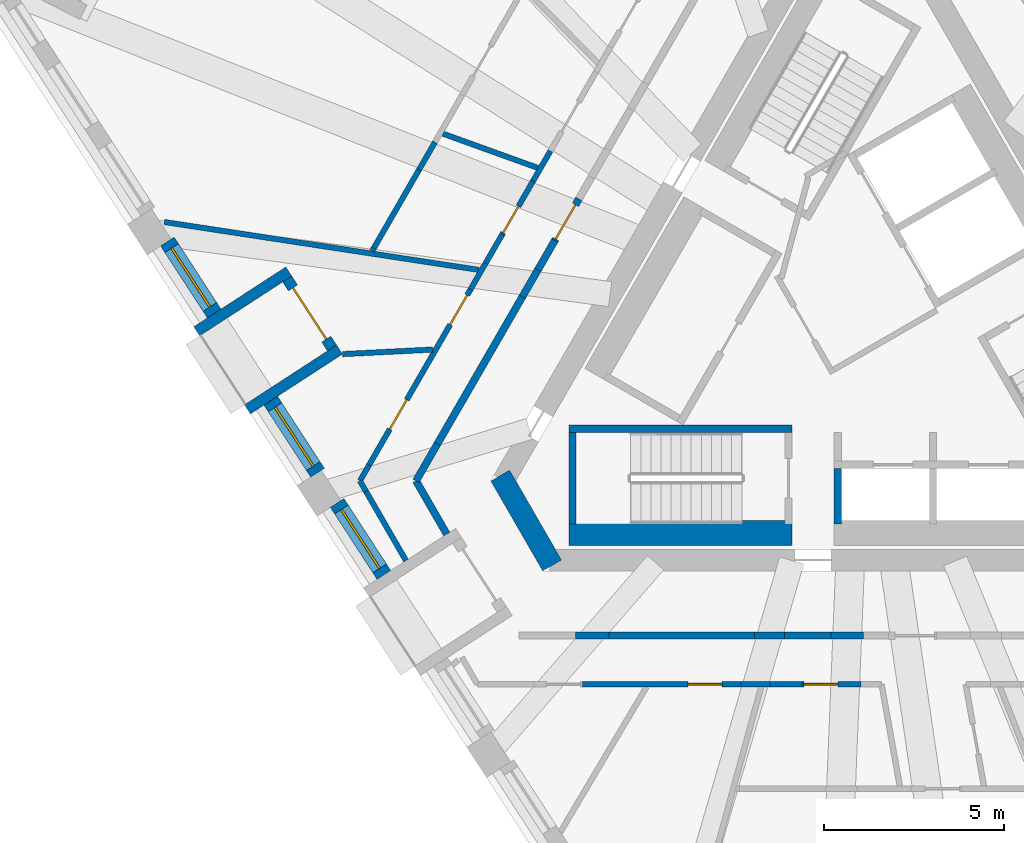
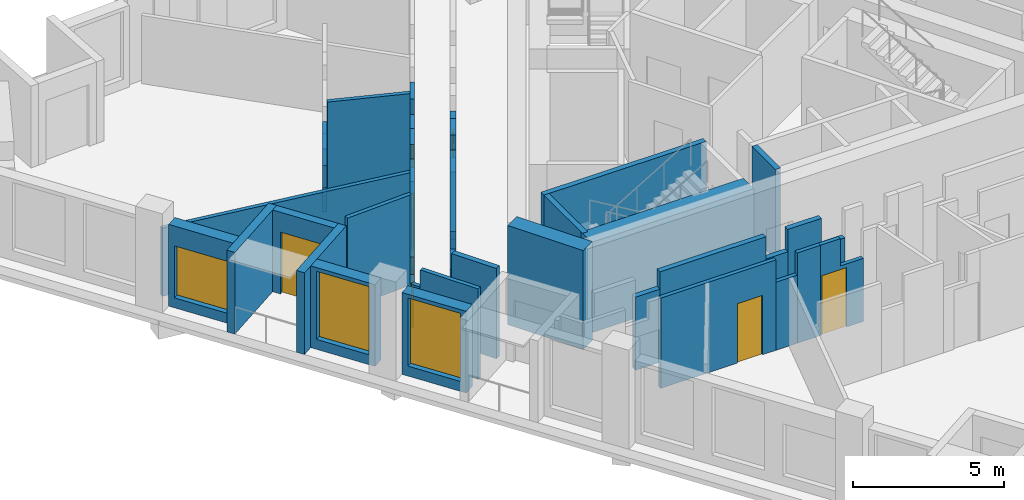
# One storey, part 3 of 12: 40 walls, 7 doors, 3 windows, 10 openings.
"""IFC4 building model written with IfcOpenShell, lengths in metres."""

from ifc_helpers import new_model, si_unit, direction, frame, frame_2d, origin, place, context, subcontext, project, spatial, polyline, rectangle, outline, extrude, material, layer, layer_set, type_object, element, fill, save


model = new_model("IFC4")

# Units and contexts
model_context = context("Model", 3, precision=1e-05, world=origin(), true_north=direction((0.0, 1.0)))
body_context = subcontext(model_context, "Body", "Model", "MODEL_VIEW")
ifc_project = project(units=[si_unit("LENGTHUNIT", "METRE"), si_unit("AREAUNIT", "SQUARE_METRE"), si_unit("VOLUMEUNIT", "CUBIC_METRE"), si_unit("PLANEANGLEUNIT", "RADIAN"), si_unit("MASSUNIT", "GRAM", prefix="KILO")], contexts=[model_context])

# Site, building, storey
site_placement = place(None, origin())
site = spatial("IfcSite", under=ifc_project, at=site_placement, CompositionType="ELEMENT")
building_placement = place(site_placement, origin())
building = spatial("IfcBuilding", under=site, at=building_placement, Name="Tramontana Tower", CompositionType="ELEMENT")
storey_placement = place(building_placement, frame((0.0, 0.0, 282.39990234375)))
storey = spatial("IfcBuildingStorey", under=building, at=storey_placement, Name="L66", CompositionType="ELEMENT", Elevation=282.39990234375)

# Walls
ifc_material_1 = material(Name="Concrete 70 MPa", Category="concrete")
ifc_layer_1 = layer(ifc_material_1, 0.60009765625)
ifc_layer_set_1 = layer_set([ifc_layer_1], Name="Core wall 600 70 MPa")
wall_type_1 = type_object("IfcWallType", Name="Core wall 600 70 MPa", PredefinedType="SHEAR", material=ifc_layer_set_1)
wall_1_placement = place(storey_placement, frame((-9.98828125, -4.10009765625, 0.0), z_axis=(0.0, 0.0, 1.0), x_axis=(0.499995765644, -0.866027848477, 0.0)))
element("IfcWall", 1, at=wall_1_placement, inside=storey, type_object=wall_type_1, Name="Core wall C2 L66", PredefinedType="SHEAR", context=body_context, shape_type="SweptSolid", body=[
    extrude(rectangle(XDim=2.88671875, YDim=0.60009765625, at=frame_2d((1.443359375, 0.0))), origin(), (0.0, 0.0, 1.0), 4.0),
])
ifc_material_2 = material(Name="Blockwork", Category="masonry")
ifc_layer_2 = layer(ifc_material_2, 0.199951171875)
ifc_layer_set_2 = layer_set([ifc_layer_2], Name="ENTRY WALL 200")
wall_type_2 = type_object("IfcWallType", Name="ENTRY WALL 200", PredefinedType="SOLIDWALL", material=ifc_layer_set_2)
wall_2_placement = place(storey_placement, frame((0.104248046875, -8.550048828125, 0.0), z_axis=(0.0, 0.0, 1.0), x_axis=(-1.0, 0.0, 0.0)))
element("IfcWall", 2, at=wall_2_placement, inside=storey, type_object=wall_type_2, Name="Wall v70-ew1-6", PredefinedType="SOLIDWALL", context=body_context, shape_type="SweptSolid", body=[
    extrude(rectangle(XDim=0.900634765625, YDim=0.199951171875, at=frame_2d((0.4501953125, 0.0))), origin(), (0.0, 0.0, 1.0), 2.550048828125),
])
wall_3_placement = place(storey_placement, frame((-0.79638671875, -8.550048828125, 0.0), z_axis=(0.0, 0.0, 1.0), x_axis=(-1.0, 0.0, 0.0)))
element("IfcWall", 3, at=wall_3_placement, inside=storey, type_object=wall_type_2, Name="Wall v70-ew1-7", PredefinedType="SOLIDWALL", context=body_context, shape_type="SweptSolid", body=[
    extrude(rectangle(XDim=1.2861328125, YDim=0.199951171875, at=frame_2d((0.64306640625, 0.0))), origin(), (0.0, 0.0, 1.0), 3.650146484375),
])
wall_4_placement = place(storey_placement, frame((-2.08251953125, -8.550048828125, 0.0), z_axis=(0.0, 0.0, 1.0), x_axis=(-1.0, 0.0, 0.0)))
element("IfcWall", 4, at=wall_4_placement, inside=storey, type_object=wall_type_2, Name="Wall v70-ew1-8", PredefinedType="SOLIDWALL", context=body_context, shape_type="SweptSolid", body=[
    extrude(rectangle(XDim=0.83349609375, YDim=0.199951171875, at=frame_2d((0.416748046875, 0.0))), origin(), (0.0, 0.0, 1.0), 2.75),
])
wall_5_placement = place(storey_placement, frame((-2.916015625, -8.550048828125, 0.0), z_axis=(0.0, 0.0, 1.0), x_axis=(-1.0, 0.0, 0.0)))
element("IfcWall", 5, at=wall_5_placement, inside=storey, type_object=wall_type_2, Name="Wall v70-ew1-9", PredefinedType="SOLIDWALL", context=body_context, shape_type="SweptSolid", body=[
    extrude(rectangle(XDim=4.052490234375, YDim=0.199951171875, at=frame_2d((2.0263671875, 0.0))), origin(), (0.0, 0.0, 1.0), 3.650146484375),
])
wall_6_placement = place(storey_placement, frame((-6.968505859375, -8.550048828125, 0.0), z_axis=(0.0, 0.0, 1.0), x_axis=(-1.0, 0.0, 0.0)))
element("IfcWall", 6, at=wall_6_placement, inside=storey, type_object=wall_type_2, Name="Wall v70-ew1-10", PredefinedType="SOLIDWALL", context=body_context, shape_type="SweptSolid", body=[
    extrude(rectangle(XDim=0.927490234375, YDim=0.199951171875, at=frame_2d((0.4638671875, 0.0))), origin(), (0.0, 0.0, 1.0), 2.9501953125),
])
wall_7_placement = place(storey_placement, frame((-11.472412109375, -5.729248046875, 0.0), z_axis=(0.0, 0.0, 1.0), x_axis=(-0.499982281718, 0.866035633198, 0.0)))
element("IfcWall", 7, at=wall_7_placement, inside=storey, type_object=wall_type_2, Name="Wall v70-ew2", PredefinedType="SOLIDWALL", context=body_context, shape_type="SweptSolid", body=[
    extrude(rectangle(XDim=1.7080078125, YDim=0.199951171875, at=frame_2d((0.85400390625, 0.0))), origin(), (0.0, 0.0, 1.0), 3.650146484375),
])
wall_8_placement = place(storey_placement, frame((-12.326416015625, -4.25, 0.0), z_axis=(0.0, 0.0, 1.0), x_axis=(0.499983247966, 0.86603507536, 0.0)))
element("IfcWall", 8, at=wall_8_placement, inside=storey, type_object=wall_type_2, Name="Wall v70-ew3-0", PredefinedType="SOLIDWALL", context=body_context, shape_type="SweptSolid", body=[
    extrude(rectangle(XDim=1.1884765625, YDim=0.199951171875, at=frame_2d((0.59423828125, 0.0))), origin(), (0.0, 0.0, 1.0), 2.9501953125),
])
wall_9_placement = place(storey_placement, frame((-11.732177734375, -3.220703125, 0.0), z_axis=(0.0, 0.0, 1.0), x_axis=(0.500007683529, 0.866020967652, 0.0)))
element("IfcWall", 9, at=wall_9_placement, inside=storey, type_object=wall_type_2, Name="Wall v70-ew3-1", PredefinedType="SOLIDWALL", context=body_context, shape_type="SweptSolid", body=[
    extrude(rectangle(XDim=4.71728515625, YDim=0.199951171875, at=frame_2d((2.358642578125, 0.0))), origin(), (0.0, 0.0, 1.0), 3.650146484375),
])
wall_10_placement = place(storey_placement, frame((-9.37353515625, 0.864501953125, 0.0), z_axis=(0.0, 0.0, 1.0), x_axis=(0.500056482814, 0.86599279096, 0.0)))
element("IfcWall", 10, at=wall_10_placement, inside=storey, type_object=wall_type_2, Name="Wall v70-ew3-2", PredefinedType="SOLIDWALL", context=body_context, shape_type="SweptSolid", body=[
    extrude(rectangle(XDim=0.86474609375, YDim=0.199951171875, at=frame_2d((0.432373046875, 0.0))), origin(), (0.0, 0.0, 1.0), 2.75),
])
wall_11_placement = place(storey_placement, frame((-8.941162109375, 1.61328125, 0.0), z_axis=(0.0, 0.0, 1.0), x_axis=(0.499857464265, 0.866107681191, 0.0)))
element("IfcWall", 11, at=wall_11_placement, inside=storey, type_object=wall_type_2, Name="Wall v70-ew3-3", PredefinedType="SOLIDWALL", context=body_context, shape_type="SweptSolid", body=[
    extrude(rectangle(XDim=0.939208984375, YDim=0.199951171875, at=frame_2d((0.4697265625, 0.0))), origin(), (0.0, 0.0, 1.0), 3.650146484375),
])

# Wall, opening, door
wall_12_placement = place(storey_placement, frame((-8.4716796875, 2.4267578125, 0.0), z_axis=(0.0, 0.0, 1.0), x_axis=(0.500022371132, 0.86601248742, 0.0)))
wall_12 = element("IfcWall", 12, at=wall_12_placement, inside=storey, type_object=wall_type_2, Name="Wall v70-ew3-4", PredefinedType="SOLIDWALL", context=body_context, shape_type="SweptSolid", body=[
    extrude(outline(polyline([(0.0, 0.0), (1.3388671875, 0.0), (1.3388671875, 2.550048828125), (0.429443359375, 2.550048828125), (0.429443359375, 3.650146484375), (0.0, 3.650146484375), (0.0, 0.0)])), frame((0.0, 0.10009765625, 0.0), z_axis=(0.0, -1.0, 0.0), x_axis=(1.0, 0.0, 0.0)), (0.0, 0.0, 1.0), 0.199951171875),
])
opening_1_placement = place(wall_12_placement, frame((0.050048828125, 0.0, 0.0)))
opening_1 = element("IfcOpeningElement", 13, at=opening_1_placement, cuts=wall_12, Name="Opening B7A-21", PredefinedType="OPENING", context=body_context, shape_type="SweptSolid", body=[
    extrude(rectangle(XDim=1.10009765625, YDim=2.39990234375, at=frame_2d((0.550048828125, 1.199951171875))), frame((0.0, 0.10986328125, 0.0), z_axis=(0.0, -1.0, 0.0), x_axis=(1.0, 0.0, 0.0)), (0.0, 0.0, 1.0), 0.219970703125),
])
ifc_material_3 = material(Name="Painted timber", Category="wood")
door_type_1 = type_object("IfcDoorType", Name="DOOR ENTRY 1100", OperationType="SINGLE_SWING_LEFT", PredefinedType="DOOR", material=ifc_material_3)
door_1_placement = place(opening_1_placement, origin())
door_1 = element("IfcDoor", 14, at=door_1_placement, inside=storey, type_object=door_type_1, Name="Door B7A-21", OperationType="SINGLE_SWING_LEFT", OverallHeight=2.39990234375, OverallWidth=1.10009765625, PredefinedType="DOOR", context=body_context, shape_type="SweptSolid", body=[
    extrude(rectangle(XDim=1.10009765625, YDim=2.39990234375, at=frame_2d((0.550048828125, 1.199951171875))), frame((0.0, 0.02490234375, 0.0), z_axis=(0.0, -1.0, 0.0), x_axis=(1.0, 0.0, 0.0)), (0.0, 0.0, 1.0), 0.050048828125),
])
fill(opening_1, door_1)

# Wall, opening, window
ifc_material_4 = material(Name="Precast concrete 60 MPa", Category="concrete")
ifc_layer_3 = layer(ifc_material_4, 0.449951171875)
ifc_layer_set_3 = layer_set([ifc_layer_3], Name="Precast concrete 60 MPa, 450 mm")
wall_type_3 = type_object("IfcWallType", Name="EW1 Stone-faced precast wall 450", PredefinedType="SOLIDWALL", material=ifc_layer_set_3)
wall_13_placement = place(storey_placement, frame((-19.236083984375, 2.401123046875, 0.0), z_axis=(0.0, 0.0, 1.0), x_axis=(0.544675520966, -0.838646872563, 0.0)))
wall_13 = element("IfcWall", 15, at=wall_13_placement, inside=storey, type_object=wall_type_3, Name="External wall L66 face 0 bay 2", PredefinedType="SOLIDWALL", context=body_context, shape_type="SweptSolid", body=[
    extrude(rectangle(XDim=2.38671875, YDim=0.449951171875, at=frame_2d((1.193359375, 0.0))), origin(), (0.0, 0.0, 1.0), 3.300048828125),
])
opening_2_placement = place(wall_13_placement, frame((0.21826171875, 0.0, 0.39990234375)))
opening_2 = element("IfcOpeningElement", 16, at=opening_2_placement, cuts=wall_13, Name="Opening M3L", PredefinedType="OPENING", context=body_context, shape_type="SweptSolid", body=[
    extrude(rectangle(XDim=1.949951171875, YDim=2.10009765625, at=frame_2d((0.97509765625, 1.050048828125))), frame((0.0, 0.23486328125, 0.0), z_axis=(0.0, -1.0, 0.0), x_axis=(1.0, 0.0, 0.0)), (0.0, 0.0, 1.0), 0.469970703125),
])
ifc_material_5 = material(Name="Aluminum frame, double glazing unit", Category="aluminium")
window_type_1 = type_object("IfcWindowType", Name="M3L Window 1.95 x 2.1", PartitioningType="SINGLE_PANEL", PredefinedType="WINDOW", material=ifc_material_5)
window_1_placement = place(opening_2_placement, origin())
window_1 = element("IfcWindow", 17, at=window_1_placement, inside=storey, type_object=window_type_1, Name="Window M3L L66 face 0 module 4", OverallHeight=2.10009765625, OverallWidth=1.949951171875, PartitioningType="SINGLE_PANEL", PredefinedType="WINDOW", context=body_context, shape_type="SweptSolid", body=[
    extrude(rectangle(XDim=1.949951171875, YDim=2.10009765625, at=frame_2d((0.97509765625, 1.050048828125))), frame((0.0, 0.030029296875, 0.0), z_axis=(0.0, -1.0, 0.0), x_axis=(1.0, 0.0, 0.0)), (0.0, 0.0, 1.0), 0.06005859375),
])
fill(opening_2, window_1)

wall_14_placement = place(storey_placement, frame((-16.36376953125, -2.021728515625, 0.0), z_axis=(0.0, 0.0, 1.0), x_axis=(0.544603573947, -0.838693595566, 0.0)))
wall_14 = element("IfcWall", 18, at=wall_14_placement, inside=storey, type_object=wall_type_3, Name="External wall L66 face 0 bay 2", PredefinedType="SOLIDWALL", context=body_context, shape_type="SweptSolid", body=[
    extrude(rectangle(XDim=2.38671875, YDim=0.449951171875, at=frame_2d((1.193359375, 0.0))), origin(), (0.0, 0.0, 1.0), 3.300048828125),
])
opening_3_placement = place(wall_14_placement, frame((0.21826171875, 0.0, 0.39990234375)))
opening_3 = element("IfcOpeningElement", 19, at=opening_3_placement, cuts=wall_14, Name="Opening M3", PredefinedType="OPENING", context=body_context, shape_type="SweptSolid", body=[
    extrude(rectangle(XDim=1.949951171875, YDim=2.75, at=frame_2d((0.97509765625, 1.375))), frame((0.0, 0.23486328125, 0.0), z_axis=(0.0, -1.0, 0.0), x_axis=(1.0, 0.0, 0.0)), (0.0, 0.0, 1.0), 0.469970703125),
])
ifc_material_6 = material(Name="Aluminum frame, double glazing unit", Category="aluminium")
window_type_2 = type_object("IfcWindowType", Name="M3 Window 1.95 x 2.75", PartitioningType="SINGLE_PANEL", PredefinedType="WINDOW", material=ifc_material_6)
window_2_placement = place(opening_3_placement, origin())
window_2 = element("IfcWindow", 20, at=window_2_placement, inside=storey, type_object=window_type_2, Name="Window M3 L66 face 0 module 6", OverallHeight=2.75, OverallWidth=1.949951171875, PartitioningType="SINGLE_PANEL", PredefinedType="WINDOW", context=body_context, shape_type="SweptSolid", body=[
    extrude(rectangle(XDim=1.949951171875, YDim=2.75, at=frame_2d((0.97509765625, 1.375))), frame((0.0, 0.030029296875, 0.0), z_axis=(0.0, -1.0, 0.0), x_axis=(1.0, 0.0, 0.0)), (0.0, 0.0, 1.0), 0.06005859375),
])
fill(opening_3, window_2)

wall_15_placement = place(storey_placement, frame((-14.519287109375, -4.862060546875, 0.0), z_axis=(0.0, 0.0, 1.0), x_axis=(0.544603573947, -0.838693595566, 0.0)))
wall_15 = element("IfcWall", 21, at=wall_15_placement, inside=storey, type_object=wall_type_3, Name="External wall L66 face 0 bay 3", PredefinedType="SOLIDWALL", context=body_context, shape_type="SweptSolid", body=[
    extrude(rectangle(XDim=2.38671875, YDim=0.449951171875, at=frame_2d((1.193359375, 0.0))), origin(), (0.0, 0.0, 1.0), 3.300048828125),
])
opening_4_placement = place(wall_15_placement, frame((0.21826171875, 0.0, 0.39990234375)))
opening_4 = element("IfcOpeningElement", 22, at=opening_4_placement, cuts=wall_15, Name="Opening M3", PredefinedType="OPENING", context=body_context, shape_type="SweptSolid", body=[
    extrude(rectangle(XDim=1.949951171875, YDim=2.75, at=frame_2d((0.97509765625, 1.375))), frame((0.0, 0.23486328125, 0.0), z_axis=(0.0, -1.0, 0.0), x_axis=(1.0, 0.0, 0.0)), (0.0, 0.0, 1.0), 0.469970703125),
])
window_3_placement = place(opening_4_placement, origin())
window_3 = element("IfcWindow", 23, at=window_3_placement, inside=storey, type_object=window_type_2, Name="Window M3 L66 face 0 module 7", OverallHeight=2.75, OverallWidth=1.949951171875, PartitioningType="SINGLE_PANEL", PredefinedType="WINDOW", context=body_context, shape_type="SweptSolid", body=[
    extrude(rectangle(XDim=1.949951171875, YDim=2.75, at=frame_2d((0.97509765625, 1.375))), frame((0.0, 0.030029296875, 0.0), z_axis=(0.0, -1.0, 0.0), x_axis=(1.0, 0.0, 0.0)), (0.0, 0.0, 1.0), 0.06005859375),
])
fill(opening_4, window_3)

# Wall, opening, door
ifc_material_7 = material(Name="Precast concrete 60 MPa", Category="concrete")
ifc_layer_4 = layer(ifc_material_7, 0.300048828125)
ifc_layer_set_4 = layer_set([ifc_layer_4], Name="LW1 Stone-faced loggia wall 300")
wall_type_4 = type_object("IfcWallType", Name="LW1 Stone-faced loggia wall 300", PredefinedType="SOLIDWALL", material=ifc_layer_set_4)
wall_16_placement = place(storey_placement, frame((-15.90673828125, 1.359619140625, 0.0), z_axis=(0.0, 0.0, 1.0), x_axis=(0.544658103125, -0.838658184662, 0.0)))
wall_16 = element("IfcWall", 24, at=wall_16_placement, inside=storey, type_object=wall_type_4, Name="Loggia wall L66 G7S0.4", PredefinedType="SOLIDWALL", context=body_context, shape_type="SweptSolid", body=[
    extrude(rectangle(XDim=2.286865234375, YDim=0.300048828125, at=frame_2d((1.1435546875, 0.0))), origin(), (0.0, 0.0, 1.0), 3.300048828125),
])
opening_5_placement = place(wall_16_placement, frame((0.29345703125, 0.0, 0.0)))
opening_5 = element("IfcOpeningElement", 25, at=opening_5_placement, cuts=wall_16, Name="Opening BD-7S0-04", PredefinedType="OPENING", context=body_context, shape_type="SweptSolid", body=[
    extrude(rectangle(XDim=1.699951171875, YDim=2.5, at=frame_2d((0.85009765625, 1.25))), frame((0.0, 0.159912109375, 0.0), z_axis=(0.0, -1.0, 0.0), x_axis=(1.0, 0.0, 0.0)), (0.0, 0.0, 1.0), 0.320068359375),
])
ifc_material_8 = material(Name="Aluminum frame, double glazing unit", Category="aluminium")
door_type_2 = type_object("IfcDoorType", Name="BD3 Sliding door 1.7 x 2.5", OperationType="SLIDING_TO_LEFT", PredefinedType="DOOR", material=ifc_material_8)
door_2_placement = place(opening_5_placement, origin())
door_2 = element("IfcDoor", 26, at=door_2_placement, inside=storey, type_object=door_type_2, Name="Loggia door L66 G7S0.4", OperationType="SLIDING_TO_LEFT", OverallHeight=2.5, OverallWidth=1.699951171875, PredefinedType="DOOR", context=body_context, shape_type="SweptSolid", body=[
    extrude(rectangle(XDim=1.699951171875, YDim=2.5, at=frame_2d((0.85009765625, 1.25))), frame((0.0, 0.02490234375, 0.0), z_axis=(0.0, -1.0, 0.0), x_axis=(1.0, 0.0, 0.0)), (0.0, 0.0, 1.0), 0.050048828125),
])
fill(opening_5, door_2)

# Walls
for number, where, z_axis, x_axis, name in (
    (27, (-18.42041015625, -0.093994140625, 0.0), (0.0, 0.0, 1.0), (0.838664840319, 0.544647854685, 0.0), "Loggia return L66 G7S0.4a"),
    (28, (-17.01171875, -2.263427734375, 0.0), (0.0, 0.0, 1.0), (0.838664840319, 0.544647854685, 0.0), "Loggia return L66 G7S0.4b"),
):
    element("IfcWall", number, at=place(storey_placement, frame(where, z_axis=z_axis, x_axis=x_axis)), inside=storey, type_object=wall_type_4, Name=name, PredefinedType="SOLIDWALL", context=body_context, shape_type="SweptSolid", body=[
        extrude(rectangle(XDim=3.0498046875, YDim=0.300048828125, at=frame_2d((1.52490234375, 0.0))), origin(), (0.0, 0.0, 1.0), 3.300048828125),
    ])
ifc_material_9 = material(Name="Gypsum board partition")
ifc_layer_5 = layer(ifc_material_9, 0.14990234375)
ifc_layer_set_5 = layer_set([ifc_layer_5], Name="PARTITION 150")
wall_type_5 = type_object("IfcWallType", Name="PARTITION 150", PredefinedType="PARTITIONING", material=ifc_layer_set_5)
wall_17_placement = place(storey_placement, frame((-13.88525390625, -4.25, 0.0), z_axis=(0.0, 0.0, 1.0), x_axis=(0.499904868165, 0.866080321209, 0.0)))
element("IfcWall", 29, at=wall_17_placement, inside=storey, type_object=wall_type_5, Name="Wall v70-pw00-0", PredefinedType="PARTITIONING", context=body_context, shape_type="SweptSolid", body=[
    extrude(rectangle(XDim=0.501953125, YDim=0.14990234375, at=frame_2d((0.2509765625, 0.0))), origin(), (0.0, 0.0, 1.0), 2.9501953125),
])

# Wall, openings, doors
wall_18_placement = place(storey_placement, frame((-13.63427734375, -3.815185546875, 0.0), z_axis=(0.0, 0.0, 1.0), x_axis=(0.500005829693, 0.866022037983, 0.0)))
wall_18 = element("IfcWall", 30, at=wall_18_placement, inside=storey, type_object=wall_type_5, Name="Wall v70-pw00-1", PredefinedType="PARTITIONING", context=body_context, shape_type="SweptSolid", body=[
    extrude(rectangle(XDim=5.64306640625, YDim=0.14990234375, at=frame_2d((2.821533203125, 0.0))), origin(), (0.0, 0.0, 1.0), 3.650146484375),
])
opening_6_placement = place(wall_18_placement, frame((4.509765625, 0.0, 0.0)))
opening_6 = element("IfcOpeningElement", 31, at=opening_6_placement, cuts=wall_18, Name="Opening B7A-05", PredefinedType="OPENING", context=body_context, shape_type="SweptSolid", body=[
    extrude(rectangle(XDim=0.949951171875, YDim=2.39990234375, at=frame_2d((0.47509765625, 1.199951171875))), frame((0.0, 0.0849609375, 0.0), z_axis=(0.0, -1.0, 0.0), x_axis=(1.0, 0.0, 0.0)), (0.0, 0.0, 1.0), 0.169921875),
])
opening_7_placement = place(wall_18_placement, frame((1.15380859375, 0.0, 0.0)))
opening_7 = element("IfcOpeningElement", 32, at=opening_7_placement, cuts=wall_18, Name="Opening B7A-06", PredefinedType="OPENING", context=body_context, shape_type="SweptSolid", body=[
    extrude(rectangle(XDim=0.949951171875, YDim=2.39990234375, at=frame_2d((0.47509765625, 1.199951171875))), frame((0.0, 0.0849609375, 0.0), z_axis=(0.0, -1.0, 0.0), x_axis=(1.0, 0.0, 0.0)), (0.0, 0.0, 1.0), 0.169921875),
])
ifc_material_10 = material(Name="Painted timber", Category="wood")
door_type_3 = type_object("IfcDoorType", Name="DOOR ROOM 950", OperationType="SINGLE_SWING_LEFT", PredefinedType="DOOR", material=ifc_material_10)
door_3_placement = place(opening_6_placement, origin())
door_3 = element("IfcDoor", 33, at=door_3_placement, inside=storey, type_object=door_type_3, Name="Door B7A-05", OperationType="SINGLE_SWING_LEFT", OverallHeight=2.39990234375, OverallWidth=0.949951171875, PredefinedType="DOOR", context=body_context, shape_type="SweptSolid", body=[
    extrude(rectangle(XDim=0.949951171875, YDim=2.39990234375, at=frame_2d((0.47509765625, 1.199951171875))), frame((0.0, 0.02490234375, 0.0), z_axis=(0.0, -1.0, 0.0), x_axis=(1.0, 0.0, 0.0)), (0.0, 0.0, 1.0), 0.050048828125),
])
fill(opening_6, door_3)
door_4_placement = place(opening_7_placement, origin())
door_4 = element("IfcDoor", 34, at=door_4_placement, inside=storey, type_object=door_type_3, Name="Door B7A-06", OperationType="SINGLE_SWING_RIGHT", OverallHeight=2.39990234375, OverallWidth=0.949951171875, PredefinedType="DOOR", context=body_context, shape_type="SweptSolid", body=[
    extrude(rectangle(XDim=0.949951171875, YDim=2.39990234375, at=frame_2d((0.47509765625, 1.199951171875))), frame((0.0, 0.02490234375, 0.0), z_axis=(0.0, -1.0, 0.0), x_axis=(1.0, 0.0, 0.0)), (0.0, 0.0, 1.0), 0.050048828125),
])
fill(opening_7, door_4)

# Walls
wall_19_placement = place(storey_placement, frame((-10.812744140625, 1.07177734375, 0.0), z_axis=(0.0, 0.0, 1.0), x_axis=(0.500025132165, 0.866010893236, 0.0)))
element("IfcWall", 35, at=wall_19_placement, inside=storey, type_object=wall_type_5, Name="Wall v70-pw00-2", PredefinedType="PARTITIONING", context=body_context, shape_type="SweptSolid", body=[
    extrude(rectangle(XDim=0.837890625, YDim=0.14990234375, at=frame_2d((0.4189453125, 0.0))), origin(), (0.0, 0.0, 1.0), 2.75),
])
wall_20_placement = place(storey_placement, frame((-10.393798828125, 1.79736328125, 0.0), z_axis=(0.0, 0.0, 1.0), x_axis=(0.499996383721, 0.866027491634, 0.0)))
element("IfcWall", 36, at=wall_20_placement, inside=storey, type_object=wall_type_5, Name="Wall v70-pw00-3", PredefinedType="PARTITIONING", context=body_context, shape_type="SweptSolid", body=[
    extrude(rectangle(XDim=0.92578125, YDim=0.14990234375, at=frame_2d((0.462890625, 0.0))), origin(), (0.0, 0.0, 1.0), 3.650146484375),
])

# Wall, opening, door
wall_21_placement = place(storey_placement, frame((-9.930908203125, 2.59912109375, 0.0), z_axis=(0.0, 0.0, 1.0), x_axis=(0.500056273262, 0.865992911964, 0.0)))
wall_21 = element("IfcWall", 37, at=wall_21_placement, inside=storey, type_object=wall_type_5, Name="Wall v70-pw00-4", PredefinedType="PARTITIONING", context=body_context, shape_type="SweptSolid", body=[
    extrude(outline(polyline([(0.0, 0.0), (1.709228515625, 0.0), (1.709228515625, 2.550048828125), (0.824951171875, 2.550048828125), (0.824951171875, 3.650146484375), (0.0, 3.650146484375), (0.0, 0.0)])), frame((0.0, 0.074951171875, 0.0), z_axis=(0.0, -1.0, 0.0), x_axis=(1.0, 0.0, 0.0)), (0.0, 0.0, 1.0), 0.14990234375),
])
opening_8_placement = place(wall_21_placement, frame((0.050048828125, 0.0, 0.0)))
opening_8 = element("IfcOpeningElement", 38, at=opening_8_placement, cuts=wall_21, Name="Opening B7A-02", PredefinedType="OPENING", context=body_context, shape_type="SweptSolid", body=[
    extrude(rectangle(XDim=0.85009765625, YDim=2.39990234375, at=frame_2d((0.425048828125, 1.199951171875))), frame((0.0, 0.0849609375, 0.0), z_axis=(0.0, -1.0, 0.0), x_axis=(1.0, 0.0, 0.0)), (0.0, 0.0, 1.0), 0.169921875),
])
ifc_material_11 = material(Name="Painted timber", Category="wood")
door_type_4 = type_object("IfcDoorType", Name="DOOR BATH 850", OperationType="SINGLE_SWING_LEFT", PredefinedType="DOOR", material=ifc_material_11)
door_5_placement = place(opening_8_placement, origin())
door_5 = element("IfcDoor", 39, at=door_5_placement, inside=storey, type_object=door_type_4, Name="Door B7A-02", OperationType="SINGLE_SWING_RIGHT", OverallHeight=2.39990234375, OverallWidth=0.85009765625, PredefinedType="DOOR", context=body_context, shape_type="SweptSolid", body=[
    extrude(rectangle(XDim=0.85009765625, YDim=2.39990234375, at=frame_2d((0.425048828125, 1.199951171875))), frame((0.0, 0.02490234375, 0.0), z_axis=(0.0, -1.0, 0.0), x_axis=(1.0, 0.0, 0.0)), (0.0, 0.0, 1.0), 0.050048828125),
])
fill(opening_8, door_5)

# Walls
wall_22_placement = place(storey_placement, frame((-9.076171875, 4.079345703125, 0.0), z_axis=(0.0, 0.0, 1.0), x_axis=(0.499882561262, 0.866093196455, 0.0)))
element("IfcWall", 40, at=wall_22_placement, inside=storey, type_object=wall_type_5, Name="Wall v70-pw00-5", PredefinedType="PARTITIONING", context=body_context, shape_type="SweptSolid", body=[
    extrude(rectangle(XDim=0.968017578125, YDim=0.14990234375, at=frame_2d((0.48388671875, 0.0))), origin(), (0.0, 0.0, 1.0), 3.650146484375),
])
wall_23_placement = place(storey_placement, frame((-13.545166015625, 2.13916015625, 0.0), z_axis=(0.0, 0.0, 1.0), x_axis=(0.499332966107, 0.866410173624, 0.0)))
element("IfcWall", 41, at=wall_23_placement, inside=storey, type_object=wall_type_5, Name="Wall v70-pw02-0", PredefinedType="PARTITIONING", context=body_context, shape_type="SweptSolid", body=[
    extrude(rectangle(XDim=0.09033203125, YDim=0.14990234375, at=frame_2d((0.045166015625, 0.0))), origin(), (0.0, 0.0, 1.0), 2.75),
])
wall_24_placement = place(storey_placement, frame((-13.5, 2.217529296875, 0.0), z_axis=(0.0, 0.0, 1.0), x_axis=(0.500010832295, 0.866019149666, 0.0)))
element("IfcWall", 42, at=wall_24_placement, inside=storey, type_object=wall_type_5, Name="Wall v70-pw02-1", PredefinedType="PARTITIONING", context=body_context, shape_type="SweptSolid", body=[
    extrude(rectangle(XDim=2.51611328125, YDim=0.14990234375, at=frame_2d((1.258056640625, 0.0))), origin(), (0.0, 0.0, 1.0), 3.650146484375),
])
wall_25_placement = place(storey_placement, frame((-12.241943359375, 4.396484375, 0.0), z_axis=(0.0, 0.0, 1.0), x_axis=(0.500088960417, 0.865974036371, 0.0)))
element("IfcWall", 43, at=wall_25_placement, inside=storey, type_object=wall_type_5, Name="Wall v70-pw02-2", PredefinedType="PARTITIONING", context=body_context, shape_type="SweptSolid", body=[
    extrude(rectangle(XDim=0.884033203125, YDim=0.14990234375, at=frame_2d((0.44189453125, 0.0))), origin(), (0.0, 0.0, 1.0), 2.550048828125),
])
wall_26_placement = place(storey_placement, frame((-12.606201171875, -6.46533203125, 0.0), z_axis=(0.0, 0.0, 1.0), x_axis=(-0.500024353964, 0.86601134256, 0.0)))
element("IfcWall", 44, at=wall_26_placement, inside=storey, type_object=wall_type_5, Name="Wall v70-pw03-0", PredefinedType="PARTITIONING", context=body_context, shape_type="SweptSolid", body=[
    extrude(rectangle(XDim=2.216796875, YDim=0.14990234375, at=frame_2d((1.1083984375, 0.0))), origin(), (0.0, 0.0, 1.0), 3.650146484375),
])
wall_27_placement = place(storey_placement, frame((-13.714599609375, -4.545654296875, 0.0), z_axis=(0.0, 0.0, 1.0), x_axis=(-0.499908181442, 0.866078408764, 0.0)))
element("IfcWall", 45, at=wall_27_placement, inside=storey, type_object=wall_type_5, Name="Wall v70-pw03-1", PredefinedType="PARTITIONING", context=body_context, shape_type="SweptSolid", body=[
    extrude(rectangle(XDim=0.34130859375, YDim=0.14990234375, at=frame_2d((0.170654296875, 0.0))), origin(), (0.0, 0.0, 1.0), 2.9501953125),
])
wall_28_placement = place(storey_placement, frame((-11.865234375, -0.60107421875, 0.0), z_axis=(0.0, 0.0, 1.0), x_axis=(-0.99871519822, -0.050674972563, 0.0)))
element("IfcWall", 46, at=wall_28_placement, inside=storey, type_object=wall_type_5, Name="Wall v70-pw04", PredefinedType="PARTITIONING", context=body_context, shape_type="SweptSolid", body=[
    extrude(rectangle(XDim=2.510009765625, YDim=0.14990234375, at=frame_2d((1.2548828125, 0.0))), origin(), (0.0, 0.0, 1.0), 3.650146484375),
])
wall_29_placement = place(storey_placement, frame((-10.587158203125, 1.61279296875, 0.0), z_axis=(0.0, 0.0, 1.0), x_axis=(-0.988598095377, 0.150578238191, 0.0)))
element("IfcWall", 47, at=wall_29_placement, inside=storey, type_object=wall_type_5, Name="Wall v70-pw07-0", PredefinedType="PARTITIONING", context=body_context, shape_type="SweptSolid", body=[
    extrude(rectangle(XDim=8.833251953125, YDim=0.14990234375, at=frame_2d((4.41650390625, 0.0))), origin(), (0.0, 0.0, 1.0), 2.75),
])
wall_30_placement = place(storey_placement, frame((-8.949462890625, 4.44921875, 0.0), z_axis=(0.0, 0.0, 1.0), x_axis=(-0.940703467008, 0.33922999154, 0.0)))
element("IfcWall", 48, at=wall_30_placement, inside=storey, type_object=wall_type_5, Name="Wall v70-pw08", PredefinedType="PARTITIONING", context=body_context, shape_type="SweptSolid", body=[
    extrude(rectangle(XDim=2.7939453125, YDim=0.14990234375, at=frame_2d((1.39697265625, 0.0))), origin(), (0.0, 0.0, 1.0), 3.650146484375),
])

# Wall, opening, door
wall_31_placement = place(storey_placement, frame((0.037109375, -9.89990234375, 0.0), z_axis=(0.0, 0.0, 1.0), x_axis=(-1.0, 0.0, 0.0)))
wall_31 = element("IfcWall", 49, at=wall_31_placement, inside=storey, type_object=wall_type_5, Name="Wall v70-pw14-1", PredefinedType="PARTITIONING", context=body_context, shape_type="SweptSolid", body=[
    extrude(outline(polyline([(0.0, 0.0), (1.63916015625, 0.0), (1.63916015625, 3.650146484375), (0.875732421875, 3.650146484375), (0.875732421875, 2.550048828125), (0.0, 2.550048828125), (0.0, 0.0)])), frame((0.0, 0.074951171875, 0.0), z_axis=(0.0, -1.0, 0.0), x_axis=(1.0, 0.0, 0.0)), (0.0, 0.0, 1.0), 0.14990234375),
])
opening_9_placement = place(wall_31_placement, frame((0.63916015625, 0.0, 0.0)))
opening_9 = element("IfcOpeningElement", 50, at=opening_9_placement, cuts=wall_31, Name="Opening B7A-07", PredefinedType="OPENING", context=body_context, shape_type="SweptSolid", body=[
    extrude(rectangle(XDim=0.949951171875, YDim=2.39990234375, at=frame_2d((0.47509765625, 1.199951171875))), frame((0.0, 0.0849609375, 0.0), z_axis=(0.0, -1.0, 0.0), x_axis=(1.0, 0.0, 0.0)), (0.0, 0.0, 1.0), 0.169921875),
])
door_6_placement = place(opening_9_placement, origin())
door_6 = element("IfcDoor", 51, at=door_6_placement, inside=storey, type_object=door_type_3, Name="Door B7A-07", OperationType="SINGLE_SWING_LEFT", OverallHeight=2.39990234375, OverallWidth=0.949951171875, PredefinedType="DOOR", context=body_context, shape_type="SweptSolid", body=[
    extrude(rectangle(XDim=0.949951171875, YDim=2.39990234375, at=frame_2d((0.47509765625, 1.199951171875))), frame((0.0, 0.02490234375, 0.0), z_axis=(0.0, -1.0, 0.0), x_axis=(1.0, 0.0, 0.0)), (0.0, 0.0, 1.0), 0.050048828125),
])
fill(opening_9, door_6)

# Walls
wall_32_placement = place(storey_placement, frame((-1.60205078125, -9.89990234375, 0.0), z_axis=(0.0, 0.0, 1.0), x_axis=(-1.0, 0.0, 0.0)))
element("IfcWall", 52, at=wall_32_placement, inside=storey, type_object=wall_type_5, Name="Wall v70-pw14-2", PredefinedType="PARTITIONING", context=body_context, shape_type="SweptSolid", body=[
    extrude(rectangle(XDim=0.88818359375, YDim=0.14990234375, at=frame_2d((0.444091796875, 0.0))), origin(), (0.0, 0.0, 1.0), 3.650146484375),
])
wall_33_placement = place(storey_placement, frame((-2.490234375, -9.89990234375, 0.0), z_axis=(0.0, 0.0, 1.0), x_axis=(-1.0, 0.0, 0.0)))
element("IfcWall", 53, at=wall_33_placement, inside=storey, type_object=wall_type_5, Name="Wall v70-pw14-3", PredefinedType="PARTITIONING", context=body_context, shape_type="SweptSolid", body=[
    extrude(rectangle(XDim=0.807373046875, YDim=0.14990234375, at=frame_2d((0.40380859375, 0.0))), origin(), (0.0, 0.0, 1.0), 2.75),
])

# Wall, opening, door
wall_34_placement = place(storey_placement, frame((-3.297607421875, -9.89990234375, 0.0), z_axis=(0.0, 0.0, 1.0), x_axis=(-1.0, 0.0, 0.0)))
wall_34 = element("IfcWall", 54, at=wall_34_placement, inside=storey, type_object=wall_type_5, Name="Wall v70-pw14-4", PredefinedType="PARTITIONING", context=body_context, shape_type="SweptSolid", body=[
    extrude(rectangle(XDim=4.40625, YDim=0.14990234375, at=frame_2d((2.203125, 0.0))), origin(), (0.0, 0.0, 1.0), 3.650146484375),
])
opening_10_placement = place(wall_34_placement, frame((0.52392578125, 0.0, 0.0)))
opening_10 = element("IfcOpeningElement", 55, at=opening_10_placement, cuts=wall_34, Name="Opening B7A-10", PredefinedType="OPENING", context=body_context, shape_type="SweptSolid", body=[
    extrude(rectangle(XDim=0.949951171875, YDim=2.39990234375, at=frame_2d((0.47509765625, 1.199951171875))), frame((0.0, 0.0849609375, 0.0), z_axis=(0.0, -1.0, 0.0), x_axis=(1.0, 0.0, 0.0)), (0.0, 0.0, 1.0), 0.169921875),
])
door_7_placement = place(opening_10_placement, origin())
door_7 = element("IfcDoor", 56, at=door_7_placement, inside=storey, type_object=door_type_3, Name="Door B7A-10", OperationType="SINGLE_SWING_RIGHT", OverallHeight=2.39990234375, OverallWidth=0.949951171875, PredefinedType="DOOR", context=body_context, shape_type="SweptSolid", body=[
    extrude(rectangle(XDim=0.949951171875, YDim=2.39990234375, at=frame_2d((0.47509765625, 1.199951171875))), frame((0.0, 0.02490234375, 0.0), z_axis=(0.0, -1.0, 0.0), x_axis=(1.0, 0.0, 0.0)), (0.0, 0.0, 1.0), 0.050048828125),
])
fill(opening_10, door_7)

# Walls
ifc_material_12 = material(Name="Concrete 70 MPa", Category="concrete")
ifc_layer_6 = layer(ifc_material_12, 0.699951171875)
ifc_layer_set_6 = layer_set([ifc_layer_6], Name="Concrete 70 MPa, 700 mm")
wall_type_6 = type_object("IfcWallType", Name="RC SHAFT BACK WALL 700", PredefinedType="SOLIDWALL", material=ifc_layer_set_6)
wall_35_placement = place(storey_placement, frame((-8.080078125, -5.699951171875, 0.0), z_axis=(0.0, 0.0, 1.0), x_axis=(1.0, 0.0, 0.0)))
element("IfcWall", 57, at=wall_35_placement, inside=storey, type_object=wall_type_6, Name="Wall st2-back", PredefinedType="SOLIDWALL", context=body_context, shape_type="SweptSolid", body=[
    extrude(rectangle(XDim=6.2001953125, YDim=0.699951171875, at=frame_2d((3.10009765625, 0.0))), origin(), (0.0, 0.0, 1.0), 3.650146484375),
])
ifc_material_13 = material(Name="Concrete 70 MPa", Category="concrete")
ifc_layer_7 = layer(ifc_material_13, 0.199951171875)
ifc_layer_set_7 = layer_set([ifc_layer_7], Name="Concrete 70 MPa, 200 mm")
wall_type_7 = type_object("IfcWallType", Name="RC STAIR AND SHAFT WALL 200", PredefinedType="SOLIDWALL", material=ifc_layer_set_7)
wall_36_placement = place(storey_placement, frame((-8.080078125, -2.800048828125, 0.0), z_axis=(0.0, 0.0, 1.0), x_axis=(1.0, 0.0, 0.0)))
element("IfcWall", 58, at=wall_36_placement, inside=storey, type_object=wall_type_7, Name="Wall st2-front", PredefinedType="SOLIDWALL", context=body_context, shape_type="SweptSolid", body=[
    extrude(rectangle(XDim=6.2001953125, YDim=0.199951171875, at=frame_2d((3.10009765625, 0.0))), origin(), (0.0, 0.0, 1.0), 3.650146484375),
])
wall_37_placement = place(storey_placement, frame((-7.97998046875, -2.89990234375, 0.0), z_axis=(0.0, 0.0, 1.0), x_axis=(0.0, -1.0, 0.0)))
element("IfcWall", 59, at=wall_37_placement, inside=storey, type_object=wall_type_7, Name="Wall st2-far", PredefinedType="SOLIDWALL", context=body_context, shape_type="SweptSolid", body=[
    extrude(rectangle(XDim=2.550048828125, YDim=0.199951171875, at=frame_2d((1.27490234375, 0.0))), origin(), (0.0, 0.0, 1.0), 3.650146484375),
])
wall_38_placement = place(storey_placement, frame((-0.610107421875, -3.89990234375, 0.0), z_axis=(0.0, 0.0, 1.0), x_axis=(0.0, -1.0, 0.0)))
element("IfcWall", 60, at=wall_38_placement, inside=storey, type_object=wall_type_7, Name="Wall row1-side0", PredefinedType="SOLIDWALL", context=body_context, shape_type="SweptSolid", body=[
    extrude(rectangle(XDim=1.550048828125, YDim=0.199951171875, at=frame_2d((0.77490234375, 0.0))), origin(), (0.0, 0.0, 1.0), 3.650146484375),
])

save(model, "model.ifc")
